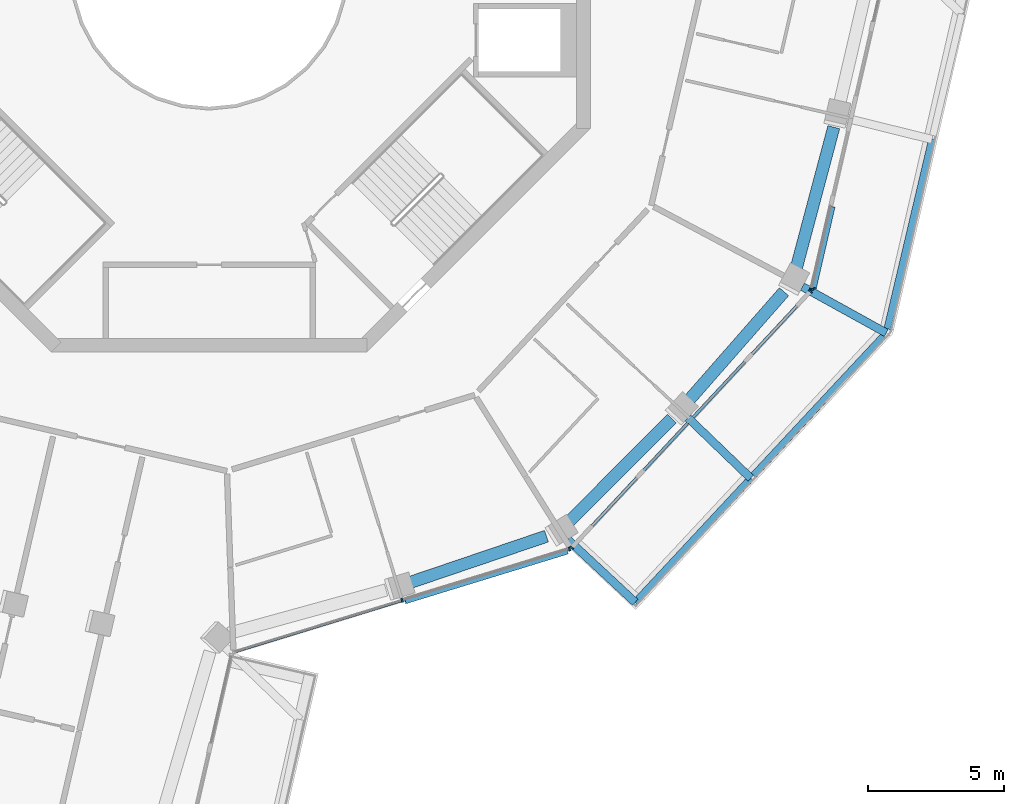
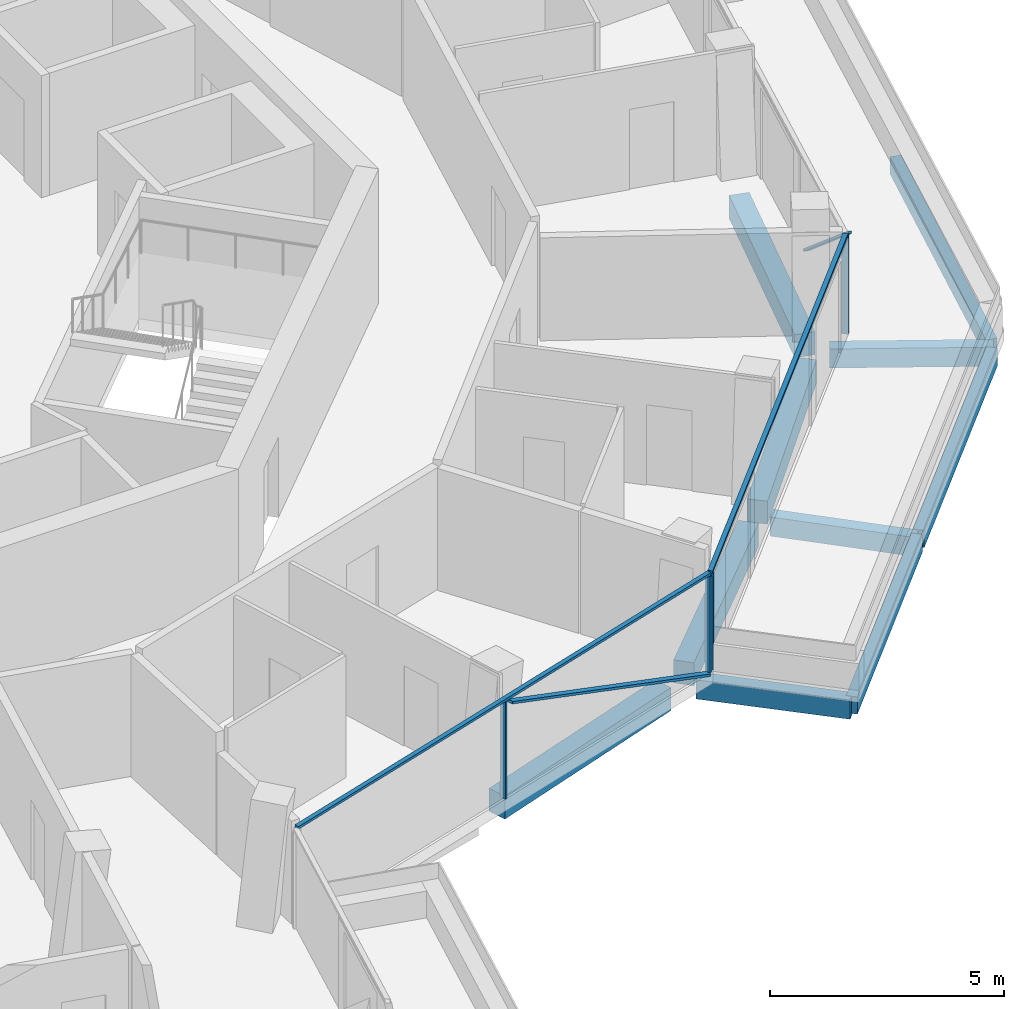
# One storey, part 4 of 21: 10 beams, 9 members, 3 elements without a shape of their own.
"""IFC4 building model written with IfcOpenShell, lengths in metres."""

from ifc_helpers import new_model, si_unit, direction, frame, origin, origin_2d, place, context, subcontext, project, spatial, rectangle, extrude, material, layer, layer_set, material_profile, profile_set, type_object, element, aggregate, save


model = new_model("IFC4")

# Units and contexts
model_context = context("Model", 3, precision=1e-05, world=origin(), true_north=direction((0.0, 1.0)))
body_context = subcontext(model_context, "Body", "Model", "MODEL_VIEW")
ifc_project = project(units=[si_unit("LENGTHUNIT", "METRE"), si_unit("AREAUNIT", "SQUARE_METRE"), si_unit("VOLUMEUNIT", "CUBIC_METRE"), si_unit("PLANEANGLEUNIT", "RADIAN"), si_unit("MASSUNIT", "GRAM", prefix="KILO")], contexts=[model_context])

# Site, building, storey
site_placement = place(None, origin())
site = spatial("IfcSite", under=ifc_project, at=site_placement, CompositionType="ELEMENT")
building_placement = place(site_placement, origin())
building = spatial("IfcBuilding", under=site, at=building_placement, Name="Verdalira Terraces Hotel", CompositionType="ELEMENT")
storey_placement = place(building_placement, frame((0.0, 0.0, 227.0)))
storey = spatial("IfcBuildingStorey", under=building, at=storey_placement, Name="L55", CompositionType="ELEMENT", Elevation=227.0)

# Beams
ifc_material_1 = material(Name="Concrete C40", Category="concrete")
ifc_material_profile_1 = material_profile(ifc_material_1, rectangle(XDim=0.300049, YDim=0.5, at=origin_2d()), Name="RC 300X500")
ifc_profile_set_1 = profile_set([ifc_material_profile_1], Name="Concrete C40")
beam_type_1 = type_object("IfcBeamType", Name="Balcony cantilever beam RC 300X500 C40", PredefinedType="BEAM", material=ifc_profile_set_1)
beam_1_placement = place(storey_placement, frame((13.166992, -20.883301, -0.560059), z_axis=(0.731789948, -0.681530243, 0.0), x_axis=(0.681530243, 0.731789948, 0.0)))
element("IfcBeam", 1, at=beam_1_placement, inside=storey, type_object=beam_type_1, Name="Balcony cantilever beam R26-1", PredefinedType="BEAM", context=body_context, shape_type="SweptSolid", body=[
    extrude(rectangle(XDim=0.300049, YDim=0.5, at=origin_2d()), origin(), (0.0, 0.0, 1.0), 3.390625),
])
beam_2_placement = place(storey_placement, frame((17.585205, -16.418213, -0.560059), z_axis=(0.720291982, -0.693671003, 0.0), x_axis=(0.693671003, 0.720291982, 0.0)))
element("IfcBeam", 2, at=beam_2_placement, inside=storey, type_object=beam_type_1, Name="Balcony cantilever beam R26-2", PredefinedType="BEAM", context=body_context, shape_type="SweptSolid", body=[
    extrude(rectangle(XDim=0.300049, YDim=0.5, at=origin_2d()), origin(), (0.0, 0.0, 1.0), 3.200684),
])
beam_3_placement = place(storey_placement, frame((21.789307, -11.602295, -0.560059), z_axis=(0.875301087, -0.483578335, 0.0), x_axis=(0.483578335, 0.875301087, 0.0)))
element("IfcBeam", 3, at=beam_3_placement, inside=storey, type_object=beam_type_1, Name="Balcony cantilever beam R26-3", PredefinedType="BEAM", context=body_context, shape_type="SweptSolid", body=[
    extrude(rectangle(XDim=0.300049, YDim=0.5, at=origin_2d()), origin(), (0.0, 0.0, 1.0), 3.516357),
])
ifc_material_2 = material(Name="Concrete C40", Category="concrete")
ifc_material_profile_2 = material_profile(ifc_material_2, rectangle(XDim=0.25, YDim=0.449951, at=origin_2d()), Name="RC 250X450")
ifc_profile_set_2 = profile_set([ifc_material_profile_2], Name="Concrete C40")
beam_type_2 = type_object("IfcBeamType", Name="Balcony edge beam RC 250X450 C40", PredefinedType="BEAM", material=ifc_profile_set_2)
beam_4_placement = place(storey_placement, frame((15.648193, -23.194092, -0.534912), z_axis=(0.681500383, 0.731817756, 0.0), x_axis=(-0.731817756, 0.681500383, 0.0)))
element("IfcBeam", 4, at=beam_4_placement, inside=storey, type_object=beam_type_2, Name="Balcony edge beam R26-1", PredefinedType="BEAM", context=body_context, shape_type="SweptSolid", body=[
    extrude(rectangle(XDim=0.25, YDim=0.449951, at=origin_2d()), origin(), (0.0, 0.0, 1.0), 6.225098),
])
beam_5_placement = place(storey_placement, frame((19.99292, -18.528809, -0.534912), z_axis=(0.682078092, 0.731279343, 0.0), x_axis=(-0.731279343, 0.682078092, 0.0)))
element("IfcBeam", 5, at=beam_5_placement, inside=storey, type_object=beam_type_2, Name="Balcony edge beam R26-2", PredefinedType="BEAM", context=body_context, shape_type="SweptSolid", body=[
    extrude(rectangle(XDim=0.25, YDim=0.449951, at=origin_2d()), origin(), (0.0, 0.0, 1.0), 6.991455),
])
beam_6_placement = place(storey_placement, frame((24.903076, -13.151123, -0.534912), z_axis=(0.229749538, 0.973249788, 0.0), x_axis=(-0.973249788, 0.229749538, 0.0)))
element("IfcBeam", 6, at=beam_6_placement, inside=storey, type_object=beam_type_2, Name="Balcony edge beam R26-3", PredefinedType="BEAM", context=body_context, shape_type="SweptSolid", body=[
    extrude(rectangle(XDim=0.25, YDim=0.449951, at=origin_2d()), origin(), (0.0, 0.0, 1.0), 7.14624),
])

# Curtain wall, members
ifc_material_3 = material(Name="Clear glass", Category="glass")
ifc_layer = layer(ifc_material_3, 0.14990234375)
ifc_layer_set = layer_set([ifc_layer], Name="CW1 curtain wall")
curtain_wall_type = type_object("IfcCurtainWallType", Name="CW1 curtain wall", PredefinedType="NOTDEFINED", material=ifc_layer_set)
curtain_wall_1_placement = place(storey_placement, origin())
curtain_wall_1 = element("IfcCurtainWall", 7, at=curtain_wall_1_placement, inside=storey, type_object=curtain_wall_type, Name="CW1 curtain wall L55 edge 25", PredefinedType="NOTDEFINED")
ifc_material_4 = material(Name="Terracotta frame", Category="masonry")
ifc_material_profile_3 = material_profile(ifc_material_4, rectangle(XDim=0.060059, YDim=0.149902, at=origin_2d()), Name="MU 60x150")
ifc_profile_set_3 = profile_set([ifc_material_profile_3], Name="Terracotta frame")
member_type_1 = type_object("IfcMemberType", Name="CW1 mullion 60x150", PredefinedType="MULLION", material=ifc_profile_set_3)
member_1_placement = place(storey_placement, frame((7.08667, -23.121582, 0.0), z_axis=(0.0, 0.0, 1.0), x_axis=(0.956100409, 0.29303926, 0.0)))
member_1 = element("IfcMember", 8, at=member_1_placement, type_object=member_type_1, Name="CW1 mullion", PredefinedType="MULLION", context=body_context, shape_type="SweptSolid", body=[
    extrude(rectangle(XDim=0.060059, YDim=0.149902, at=origin_2d()), origin(), (0.0, 0.0, 1.0), 2.524902),
])
member_2_placement = place(storey_placement, frame((13.234131, -21.237549, 0.0), z_axis=(0.0, 0.0, 1.0), x_axis=(0.956100409, 0.29303926, 0.0)))
member_2 = element("IfcMember", 9, at=member_2_placement, type_object=member_type_1, Name="CW1 mullion", PredefinedType="MULLION", context=body_context, shape_type="SweptSolid", body=[
    extrude(rectangle(XDim=0.060059, YDim=0.149902, at=origin_2d()), origin(), (0.0, 0.0, 1.0), 2.524902),
])

curtain_wall_2_placement = place(storey_placement, origin())
curtain_wall_2 = element("IfcCurtainWall", 10, at=curtain_wall_2_placement, inside=storey, type_object=curtain_wall_type, Name="CW1 curtain wall L55 edge 26", PredefinedType="NOTDEFINED")
member_3_placement = place(storey_placement, frame((13.316162, -21.186279, 0.0), z_axis=(0.0, 0.0, 1.0), x_axis=(0.681487613, 0.731829648, 0.0)))
member_3 = element("IfcMember", 11, at=member_3_placement, type_object=member_type_1, Name="CW1 mullion", PredefinedType="MULLION", context=body_context, shape_type="SweptSolid", body=[
    extrude(rectangle(XDim=0.060059, YDim=0.149902, at=origin_2d()), origin(), (0.0, 0.0, 1.0), 2.524902),
])
member_4_placement = place(storey_placement, frame((22.079834, -11.775146, 0.0), z_axis=(0.0, 0.0, 1.0), x_axis=(0.681487613, 0.731829648, 0.0)))
member_4 = element("IfcMember", 12, at=member_4_placement, type_object=member_type_1, Name="CW1 mullion", PredefinedType="MULLION", context=body_context, shape_type="SweptSolid", body=[
    extrude(rectangle(XDim=0.060059, YDim=0.149902, at=origin_2d()), origin(), (0.0, 0.0, 1.0), 2.524902),
])

# Curtain wall, member
curtain_wall_3_placement = place(storey_placement, origin())
curtain_wall_3 = element("IfcCurtainWall", 13, at=curtain_wall_3_placement, inside=storey, type_object=curtain_wall_type, Name="CW1 curtain wall L55 edge 27", PredefinedType="NOTDEFINED")
member_5_placement = place(storey_placement, frame((22.125244, -11.689697, 0.0), z_axis=(0.0, 0.0, 1.0), x_axis=(0.224270761, 0.974526873, 0.0)))
member_5 = element("IfcMember", 14, at=member_5_placement, type_object=member_type_1, Name="CW1 mullion", PredefinedType="MULLION", context=body_context, shape_type="SweptSolid", body=[
    extrude(rectangle(XDim=0.060059, YDim=0.149902, at=origin_2d()), origin(), (0.0, 0.0, 1.0), 2.524902),
])

# Member
ifc_material_5 = material(Name="Terracotta frame", Category="masonry")
ifc_material_profile_4 = material_profile(ifc_material_5, rectangle(XDim=0.110107, YDim=0.064941, at=origin_2d()), Name="TR 65x110")
ifc_profile_set_4 = profile_set([ifc_material_profile_4], Name="Terracotta frame")
member_type_2 = type_object("IfcMemberType", Name="CW1 transom 65x110", PredefinedType="USERDEFINED", material=ifc_profile_set_4)
member_6_placement = place(storey_placement, frame((0.87207, -25.026367, 2.557617), z_axis=(0.956103057, 0.29303062, 0.0), x_axis=(-0.29303062, 0.956103057, 0.0)))
member_6 = element("IfcMember", 15, at=member_6_placement, type_object=member_type_2, Name="CW1 transom", ObjectType="TRANSOM", PredefinedType="USERDEFINED", context=body_context, shape_type="SweptSolid", body=[
    extrude(rectangle(XDim=0.110107, YDim=0.064941, at=origin_2d()), origin(), (0.0, 0.0, 1.0), 12.959717),
])

member_7_placement = place(storey_placement, frame((13.295898, -21.208008, 2.557617), z_axis=(0.681487638, 0.731829625, 0.0), x_axis=(-0.731829625, 0.681487638, 0.0)))
member_7 = element("IfcMember", 16, at=member_7_placement, type_object=member_type_2, Name="CW1 transom", ObjectType="TRANSOM", PredefinedType="USERDEFINED", context=body_context, shape_type="SweptSolid", body=[
    extrude(rectangle(XDim=0.110107, YDim=0.064941, at=origin_2d()), origin(), (0.0, 0.0, 1.0), 12.919434),
])

aggregate(curtain_wall_2, [member_3, member_4, member_7])

ifc_material_6 = material(Name="Terracotta frame", Category="masonry")
ifc_material_profile_5 = material_profile(ifc_material_6, rectangle(XDim=0.149902, YDim=0.060059, at=origin_2d()), Name="GB 60x150")
ifc_profile_set_5 = profile_set([ifc_material_profile_5], Name="Terracotta frame")
member_type_3 = type_object("IfcMemberType", Name="Diagonal glazing bar 60x150", PredefinedType="USERDEFINED", material=ifc_profile_set_5)
member_8_placement = place(storey_placement, frame((7.210449, -23.176758, 2.496338), z_axis=(0.888818537, 0.272405747, -0.368506061), x_axis=(-0.293027453, 0.956104028, 0.0)))
member_8 = element("IfcMember", 17, at=member_8_placement, type_object=member_type_3, Name="Diagonal glazing bar", ObjectType="GLAZING BAR", PredefinedType="USERDEFINED", context=body_context, shape_type="SweptSolid", body=[
    extrude(rectangle(XDim=0.149902, YDim=0.060059, at=origin_2d()), origin(), (0.0, 0.0, 1.0), 6.696777),
])

aggregate(curtain_wall_1, [member_1, member_2, member_6, member_8])

member_9_placement = place(storey_placement, frame((22.225586, -11.651123, 2.500488), z_axis=(0.173867783, 0.755565117, -0.631578457), x_axis=(-0.974530441, 0.224255254, 0.0)))
member_9 = element("IfcMember", 18, at=member_9_placement, type_object=member_type_3, Name="Diagonal glazing bar", ObjectType="GLAZING BAR", PredefinedType="USERDEFINED", context=body_context, shape_type="SweptSolid", body=[
    extrude(rectangle(XDim=0.149902, YDim=0.060059, at=origin_2d()), origin(), (0.0, 0.0, 1.0), 3.92041),
])

aggregate(curtain_wall_3, [member_5, member_9])

# Beams
ifc_material_7 = material(Name="Concrete C40", Category="concrete")
ifc_material_profile_6 = material_profile(ifc_material_7, rectangle(XDim=0.449951, YDim=0.600098, at=origin_2d()), Name="RC 450X600")
ifc_profile_set_6 = profile_set([ifc_material_profile_6], Name="Concrete C40")
beam_type_3 = type_object("IfcBeamType", Name="Spandrel beam RC 450X600 C40", PredefinedType="SPANDREL", material=ifc_profile_set_6)
beam_7_placement = place(storey_placement, frame((7.282471, -22.499023, -0.610107), z_axis=(0.946963207, 0.321342005, 0.0), x_axis=(-0.321342005, 0.946963207, 0.0)))
element("IfcBeam", 19, at=beam_7_placement, inside=storey, type_object=beam_type_3, Name="Spandrel beam B12", PredefinedType="SPANDREL", context=body_context, shape_type="SweptSolid", body=[
    extrude(rectangle(XDim=0.449951, YDim=0.600098, at=origin_2d()), origin(), (0.0, 0.0, 1.0), 5.394287),
])
beam_8_placement = place(storey_placement, frame((13.184082, -20.269043, -0.610107), z_axis=(0.705839, 0.708372294, 0.0), x_axis=(-0.708372294, 0.705839, 0.0)))
element("IfcBeam", 20, at=beam_8_placement, inside=storey, type_object=beam_type_3, Name="Spandrel beam B13", PredefinedType="SPANDREL", context=body_context, shape_type="SweptSolid", body=[
    extrude(rectangle(XDim=0.449951, YDim=0.600098, at=origin_2d()), origin(), (0.0, 0.0, 1.0), 5.396973),
])
beam_9_placement = place(storey_placement, frame((17.556396, -15.843506, -0.610107), z_axis=(0.659385314, 0.751805166, 0.0), x_axis=(-0.751805166, 0.659385314, 0.0)))
element("IfcBeam", 21, at=beam_9_placement, inside=storey, type_object=beam_type_3, Name="Spandrel beam B14", PredefinedType="SPANDREL", context=body_context, shape_type="SweptSolid", body=[
    extrude(rectangle(XDim=0.449951, YDim=0.600098, at=origin_2d()), origin(), (0.0, 0.0, 1.0), 5.394287),
])
beam_10_placement = place(storey_placement, frame((21.552002, -10.961426, -0.610107), z_axis=(0.25713327, 0.966375952, 0.0), x_axis=(-0.966375952, 0.25713327, 0.0)))
element("IfcBeam", 22, at=beam_10_placement, inside=storey, type_object=beam_type_3, Name="Spandrel beam B15", PredefinedType="SPANDREL", context=body_context, shape_type="SweptSolid", body=[
    extrude(rectangle(XDim=0.449951, YDim=0.600098, at=origin_2d()), origin(), (0.0, 0.0, 1.0), 5.396729),
])

save(model, "model.ifc")
